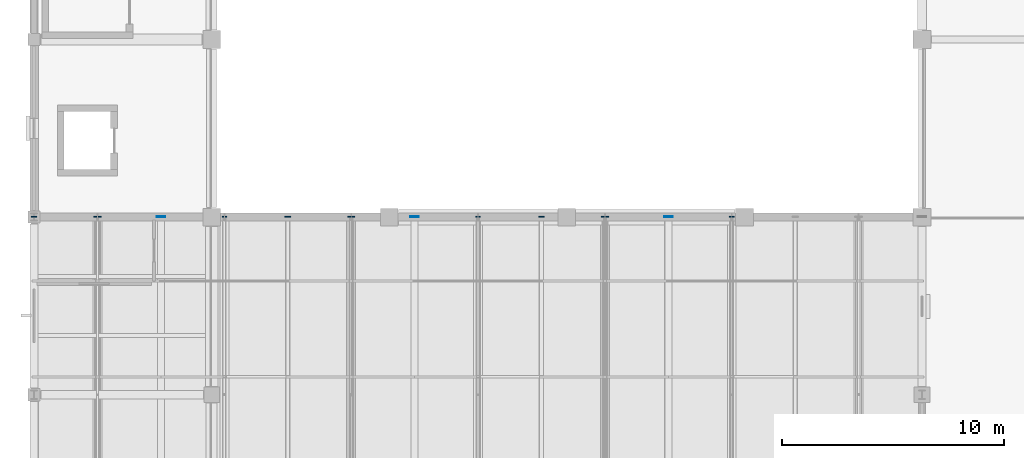
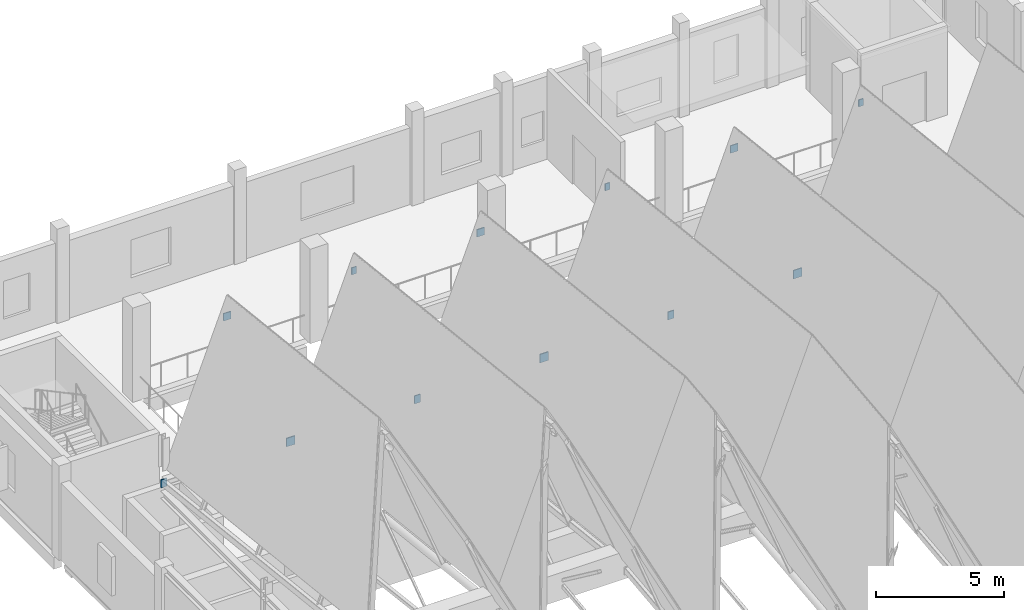
# One storey, part 60 of 77: 12 discrete accessories.
"""IFC4 building model written with IfcOpenShell, lengths in metres."""

from ifc_helpers import new_model, si_unit, direction, frame, origin, origin_2d, place, context, subcontext, project, spatial, rectangle, extrude, material, type_object, element, save


model = new_model("IFC4")

# Units and contexts
model_context = context("Model", 3, precision=1e-05, world=origin(), true_north=direction((0.0, 1.0)))
body_context = subcontext(model_context, "Body", "Model", "MODEL_VIEW")
ifc_project = project(units=[si_unit("LENGTHUNIT", "METRE"), si_unit("AREAUNIT", "SQUARE_METRE"), si_unit("VOLUMEUNIT", "CUBIC_METRE"), si_unit("PLANEANGLEUNIT", "RADIAN"), si_unit("MASSUNIT", "GRAM", prefix="KILO")], contexts=[model_context])

# Site, building, storey
site_placement = place(None, origin())
site = spatial("IfcSite", under=ifc_project, at=site_placement, CompositionType="ELEMENT")
building_placement = place(site_placement, origin())
building = spatial("IfcBuilding", under=site, at=building_placement, Name="Luwemba Playhouse", CompositionType="ELEMENT")
storey_placement = place(building_placement, frame((0.0, 0.0, 9.300048828125)))
storey = spatial("IfcBuildingStorey", under=building, at=storey_placement, Name="L02", CompositionType="ELEMENT", Elevation=9.300048828125)

# Discrete accessories
ifc_material = material(Name="Steel S355", Category="steel")
discrete_accessory_type = type_object("IfcDiscreteAccessoryType", Name="ACC-ENDCAP-S355", PredefinedType="BRACKET", material=ifc_material)
discrete_accessory_1_placement = place(storey_placement, frame((4.0, 68.014892578125, 8.098388671875), z_axis=(0.0, 0.0, 1.0), x_axis=(1.0, 0.0, 0.0)))
element("IfcDiscreteAccessory", 1, at=discrete_accessory_1_placement, inside=storey, type_object=discrete_accessory_type, Name="Welded RHS end cap plate 0004", PredefinedType="BRACKET", context=body_context, shape_type="SweptSolid", body=[
    extrude(rectangle(XDim=0.260009765625, YDim=0.044921875, at=origin_2d()), origin(), (0.0, 0.0, 1.0), 0.3798828125),
])
discrete_accessory_2_placement = place(storey_placement, frame((6.857177734375, 68.014892578125, 15.063232421875), z_axis=(0.0, 0.0, 1.0), x_axis=(1.0, 0.0, 0.0)))
element("IfcDiscreteAccessory", 2, at=discrete_accessory_2_placement, inside=storey, type_object=discrete_accessory_type, Name="Welded RHS end cap plate 0008", PredefinedType="BRACKET", context=body_context, shape_type="SweptSolid", body=[
    extrude(rectangle(XDim=0.3330078125, YDim=0.044921875, at=origin_2d()), origin(), (0.0, 0.0, 1.0), 0.35302734375),
])
discrete_accessory_3_placement = place(storey_placement, frame((9.71435546875, 68.014892578125, 8.07421875), z_axis=(0.0, 0.0, 1.0), x_axis=(1.0, 0.0, 0.0)))
element("IfcDiscreteAccessory", 3, at=discrete_accessory_3_placement, inside=storey, type_object=discrete_accessory_type, Name="Welded RHS end cap plate 0012", PredefinedType="BRACKET", context=body_context, shape_type="SweptSolid", body=[
    extrude(rectangle(XDim=0.384033203125, YDim=0.044921875, at=origin_2d()), origin(), (0.0, 0.0, 1.0), 0.404052734375),
])
discrete_accessory_4_placement = place(storey_placement, frame((12.5712890625, 68.014892578125, 15.24560546875), z_axis=(0.0, 0.0, 1.0), x_axis=(1.0, 0.0, 0.0)))
element("IfcDiscreteAccessory", 4, at=discrete_accessory_4_placement, inside=storey, type_object=discrete_accessory_type, Name="Welded RHS end cap plate 0016", PredefinedType="BRACKET", context=body_context, shape_type="SweptSolid", body=[
    extrude(rectangle(XDim=0.2099609375, YDim=0.044921875, at=origin_2d()), origin(), (0.0, 0.0, 1.0), 0.330078125),
])
discrete_accessory_5_placement = place(storey_placement, frame((15.4287109375, 68.014892578125, 8.098388671875), z_axis=(0.0, 0.0, 1.0), x_axis=(1.0, 0.0, 0.0)))
element("IfcDiscreteAccessory", 5, at=discrete_accessory_5_placement, inside=storey, type_object=discrete_accessory_type, Name="Welded RHS end cap plate 0020", PredefinedType="BRACKET", context=body_context, shape_type="SweptSolid", body=[
    extrude(rectangle(XDim=0.260009765625, YDim=0.044921875, at=origin_2d()), origin(), (0.0, 0.0, 1.0), 0.3798828125),
])
discrete_accessory_6_placement = place(storey_placement, frame((18.28564453125, 68.014892578125, 15.06298828125), z_axis=(0.0, 0.0, 1.0), x_axis=(1.0, 0.0, 0.0)))
element("IfcDiscreteAccessory", 6, at=discrete_accessory_6_placement, inside=storey, type_object=discrete_accessory_type, Name="Welded RHS end cap plate 0024", PredefinedType="BRACKET", context=body_context, shape_type="SweptSolid", body=[
    extrude(rectangle(XDim=0.3330078125, YDim=0.044921875, at=origin_2d()), origin(), (0.0, 0.0, 1.0), 0.35302734375),
])
discrete_accessory_7_placement = place(storey_placement, frame((21.142822265625, 68.014892578125, 8.07421875), z_axis=(0.0, 0.0, 1.0), x_axis=(1.0, 0.0, 0.0)))
element("IfcDiscreteAccessory", 7, at=discrete_accessory_7_placement, inside=storey, type_object=discrete_accessory_type, Name="Welded RHS end cap plate 0028", PredefinedType="BRACKET", context=body_context, shape_type="SweptSolid", body=[
    extrude(rectangle(XDim=0.384033203125, YDim=0.044921875, at=origin_2d()), origin(), (0.0, 0.0, 1.0), 0.404052734375),
])
discrete_accessory_8_placement = place(storey_placement, frame((24.0, 68.014892578125, 15.245361328125), z_axis=(0.0, 0.0, 1.0), x_axis=(1.0, 0.0, 0.0)))
element("IfcDiscreteAccessory", 8, at=discrete_accessory_8_placement, inside=storey, type_object=discrete_accessory_type, Name="Welded RHS end cap plate 0032", PredefinedType="BRACKET", context=body_context, shape_type="SweptSolid", body=[
    extrude(rectangle(XDim=0.2099609375, YDim=0.044921875, at=origin_2d()), origin(), (0.0, 0.0, 1.0), 0.330078125),
])
discrete_accessory_9_placement = place(storey_placement, frame((26.857177734375, 68.014892578125, 8.09814453125), z_axis=(0.0, 0.0, 1.0), x_axis=(1.0, 0.0, 0.0)))
element("IfcDiscreteAccessory", 9, at=discrete_accessory_9_placement, inside=storey, type_object=discrete_accessory_type, Name="Welded RHS end cap plate 0036", PredefinedType="BRACKET", context=body_context, shape_type="SweptSolid", body=[
    extrude(rectangle(XDim=0.260009765625, YDim=0.044921875, at=origin_2d()), origin(), (0.0, 0.0, 1.0), 0.3798828125),
])
discrete_accessory_10_placement = place(storey_placement, frame((29.71435546875, 68.014892578125, 15.06298828125), z_axis=(0.0, 0.0, 1.0), x_axis=(1.0, 0.0, 0.0)))
element("IfcDiscreteAccessory", 10, at=discrete_accessory_10_placement, inside=storey, type_object=discrete_accessory_type, Name="Welded RHS end cap plate 0040", PredefinedType="BRACKET", context=body_context, shape_type="SweptSolid", body=[
    extrude(rectangle(XDim=0.3330078125, YDim=0.044921875, at=origin_2d()), origin(), (0.0, 0.0, 1.0), 0.35302734375),
])
discrete_accessory_11_placement = place(storey_placement, frame((32.5712890625, 68.014892578125, 8.07421875), z_axis=(0.0, 0.0, 1.0), x_axis=(1.0, 0.0, 0.0)))
element("IfcDiscreteAccessory", 11, at=discrete_accessory_11_placement, inside=storey, type_object=discrete_accessory_type, Name="Welded RHS end cap plate 0044", PredefinedType="BRACKET", context=body_context, shape_type="SweptSolid", body=[
    extrude(rectangle(XDim=0.384033203125, YDim=0.044921875, at=origin_2d()), origin(), (0.0, 0.0, 1.0), 0.404052734375),
])
discrete_accessory_12_placement = place(storey_placement, frame((35.4287109375, 68.014892578125, 15.245361328125), z_axis=(0.0, 0.0, 1.0), x_axis=(1.0, 0.0, 0.0)))
element("IfcDiscreteAccessory", 12, at=discrete_accessory_12_placement, inside=storey, type_object=discrete_accessory_type, Name="Welded RHS end cap plate 0048", PredefinedType="BRACKET", context=body_context, shape_type="SweptSolid", body=[
    extrude(rectangle(XDim=0.2099609375, YDim=0.044921875, at=origin_2d()), origin(), (0.0, 0.0, 1.0), 0.330078125),
])

save(model, "model.ifc")
